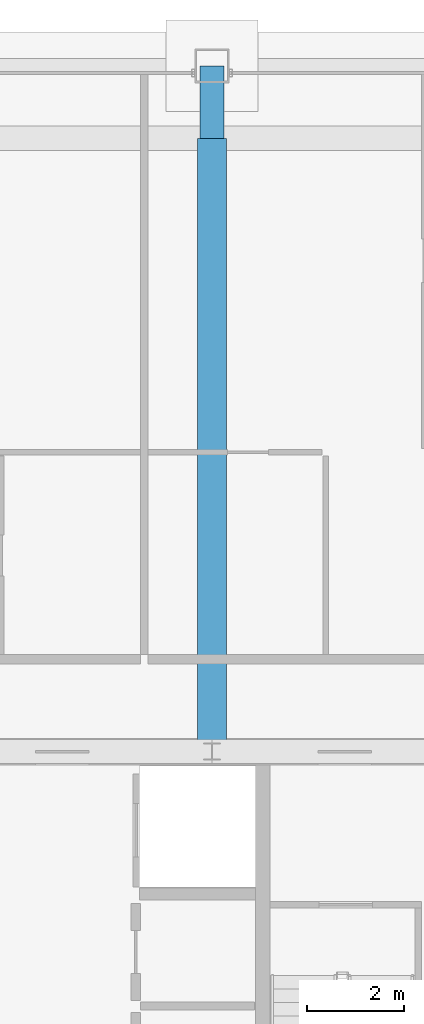
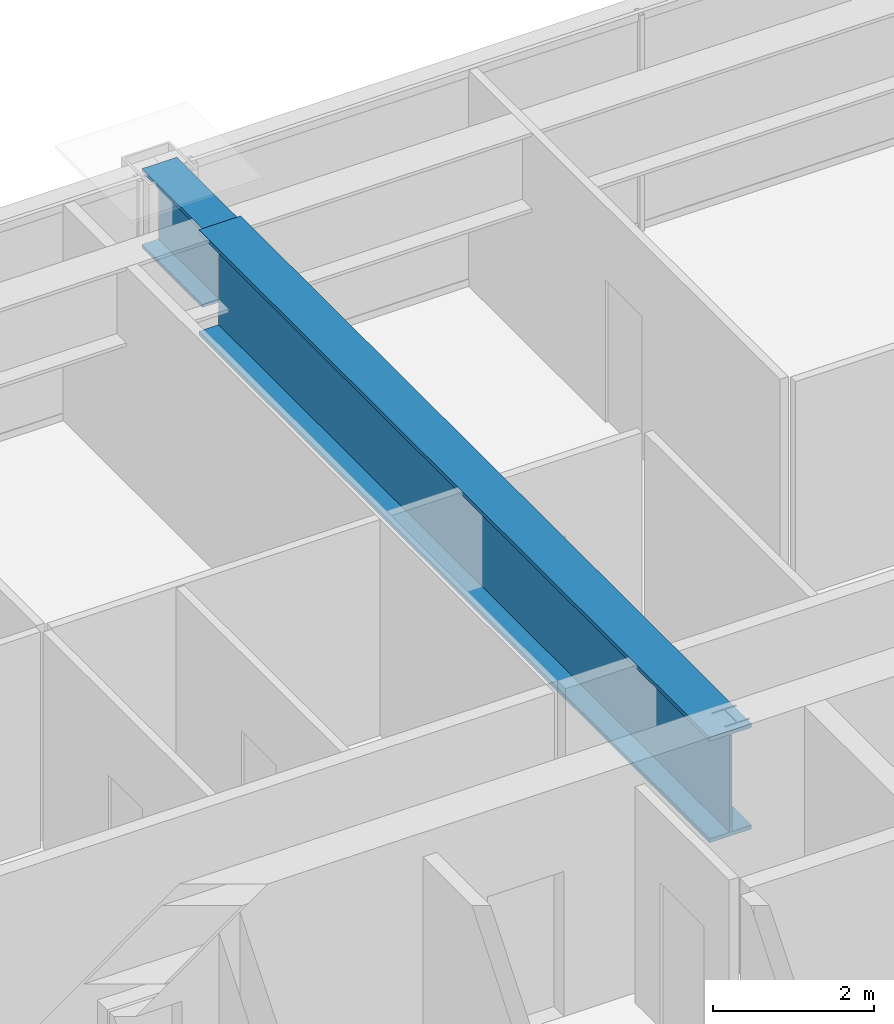
# One storey, part 24 of 33: 2 beams.
"""IFC4 building model written with IfcOpenShell, lengths in metres."""

from ifc_helpers import new_model, si_unit, direction, frame, origin, origin_2d, place, context, subcontext, project, spatial, i_section, extrude, source, transform, mapped, material, material_profile, profile_set, type_object, element, save


model = new_model("IFC4")

# Units and contexts
model_context = context("Model", 3, precision=1e-05, world=origin(), true_north=direction((0.0, 1.0)))
body_context = subcontext(model_context, "Body", "Model", "MODEL_VIEW")
ifc_project = project(units=[si_unit("LENGTHUNIT", "METRE"), si_unit("AREAUNIT", "SQUARE_METRE"), si_unit("VOLUMEUNIT", "CUBIC_METRE"), si_unit("PLANEANGLEUNIT", "RADIAN"), si_unit("MASSUNIT", "GRAM", prefix="KILO"), si_unit("THERMODYNAMICTEMPERATUREUNIT", "KELVIN"), si_unit("POWERUNIT", "WATT")], contexts=[model_context])

# Site, building, storey
site_placement = place(None, origin())
site = spatial("IfcSite", under=ifc_project, at=site_placement, CompositionType="ELEMENT")
building_placement = place(site_placement, origin())
building = spatial("IfcBuilding", under=site, at=building_placement, Name="Yuzanri Waterfront Tower", CompositionType="ELEMENT")
storey_placement = place(building_placement, frame((0.0, 0.0, 282.10009765625)))
storey = spatial("IfcBuildingStorey", under=building, at=storey_placement, Name="L75", CompositionType="ELEMENT", Elevation=282.10009765625)

# Beams
ifc_material_1 = material(Name="Steel Q420GJC", Category="steel")
ifc_material_profile_1 = material_profile(ifc_material_1, i_section(OverallWidth=0.5, OverallDepth=1.199951171875, WebThickness=0.028076171875, FlangeThickness=0.050048828125, at=origin_2d()), Name="PG 1200x500x28x50")
ifc_profile_set_1 = profile_set([ifc_material_profile_1], Name="Steel Q420GJC")
beam_type_1 = type_object("IfcBeamType", Name="Setback Transfer Girder Q420GJC PG 1200x500", PredefinedType="USERDEFINED", material=ifc_profile_set_1)
shared_shape_1 = source(origin(), body_context, "Body", "SweptSolid", [
    extrude(i_section(OverallWidth=0.5, OverallDepth=1.199951171875, WebThickness=0.028076171875, FlangeThickness=0.050048828125, at=origin_2d()), origin(), (0.0, 0.0, 1.0), 1.5),
])
beam_1_placement = place(storey_placement, frame((37.0, 44.89990234375, 2.679931640625), z_axis=(0.0, 1.0, 0.0), x_axis=(-1.0, 0.0, 0.0)))
element("IfcBeam", 1, at=beam_1_placement, inside=storey, type_object=beam_type_1, Name="L75 Setback Step Transfer N2", ObjectType="GIRDER", PredefinedType="USERDEFINED", context=body_context, shape_type="MappedRepresentation", body=[
    mapped(shared_shape_1, transform((0.0, 0.0, 0.0), scale=1.0)),
])
ifc_material_2 = material(Name="Steel Q420GJC", Category="steel")
ifc_material_profile_2 = material_profile(ifc_material_2, i_section(OverallWidth=0.60009765625, OverallDepth=1.60009765625, WebThickness=0.031982421875, FlangeThickness=0.06005859375, at=origin_2d()), Name="PG 1600x600x32x60")
ifc_profile_set_2 = profile_set([ifc_material_profile_2], Name="Steel Q420GJC")
beam_type_2 = type_object("IfcBeamType", Name="Ballroom Transfer Girder Q420GJC PG 1600x600", PredefinedType="USERDEFINED", material=ifc_profile_set_2)
shared_shape_2 = source(origin(), body_context, "Body", "SweptSolid", [
    extrude(i_section(OverallWidth=0.60009765625, OverallDepth=1.60009765625, WebThickness=0.031982421875, FlangeThickness=0.06005859375, at=origin_2d()), origin(), (0.0, 0.0, 1.0), 12.699951171875),
])
beam_2_placement = place(storey_placement, frame((37.0, 32.199951171875, 2.47998046875), z_axis=(0.0, 1.0, 0.0), x_axis=(-1.0, 0.0, 0.0)))
element("IfcBeam", 2, at=beam_2_placement, inside=storey, type_object=beam_type_2, Name="L75 Setback Inner Transfer N2", ObjectType="GIRDER", PredefinedType="USERDEFINED", context=body_context, shape_type="MappedRepresentation", body=[
    mapped(shared_shape_2, transform((0.0, 0.0, 0.0), scale=1.0)),
])

save(model, "model.ifc")
